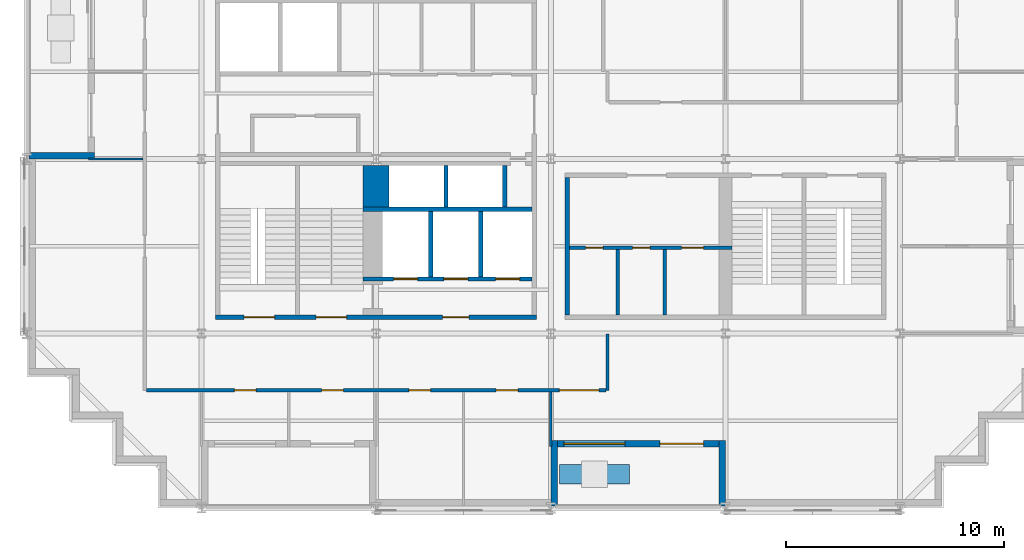
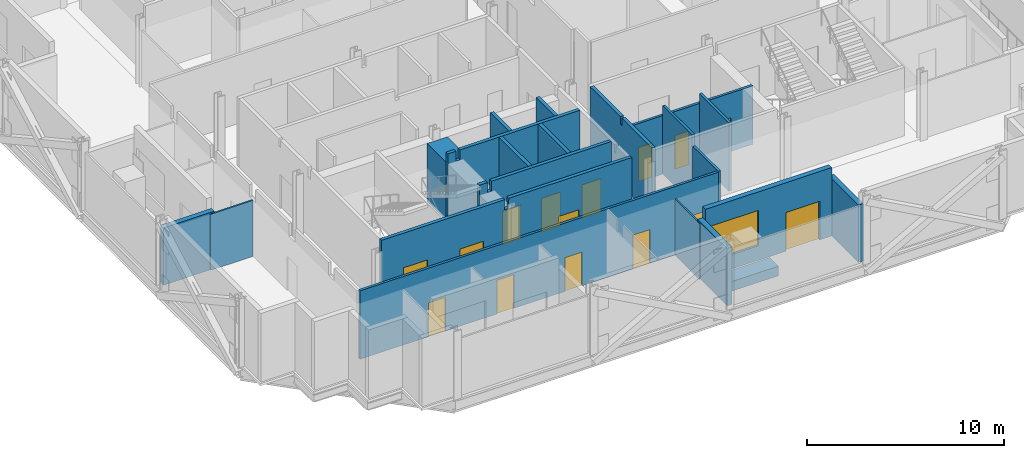
# One storey, part 6 of 15: 21 walls, 15 doors, 1 window, 16 openings.
"""IFC4 building model written with IfcOpenShell, lengths in metres."""

import ifcopenshell
import ifcopenshell.guid

model = None  # the IFC model being written
_history = None  # IfcOwnerHistory: only IFC2X3 demands one
_inside = {}  # id of a spatial element -> (the spatial element, [elements in it])
_under = {}  # id of a project, library or spatial element -> (it, [spatial elements below it])
_declared = {}  # id of a project -> (the project, [libraries it declares])
_typed = {}  # id of a type object -> (the type object, [elements of that type])
_made_of = {}  # id of a material, layer set ... -> (it, [elements and type objects made of it])


def new_model(schema):
    """Start an empty IFC model of exactly this schema.

    Asked for "IFC4X3", IfcOpenShell would pick the latest addendum, in which some entities
    have other attributes; the version numbers below select the first issue.
    IFC2X3 requires an IfcOwnerHistory on every rooted entity: one is made here for all.
    """
    global model, _history
    if schema == "IFC4X3":
        model = ifcopenshell.file(schema_version=(4, 3, 0, 0))
    else:
        model = ifcopenshell.file(schema=schema)
    _inside.clear()
    _under.clear()
    _declared.clear()
    _typed.clear()
    _made_of.clear()
    _history = None
    if model.schema == "IFC2X3":
        org = make("IfcOrganization", Name="unknown")
        user = make(
            "IfcPersonAndOrganization",
            ThePerson=make("IfcPerson", FamilyName="unknown"),
            TheOrganization=org,
        )
        app = make(
            "IfcApplication",
            ApplicationDeveloper=org,
            Version="unknown",
            ApplicationFullName="unknown",
            ApplicationIdentifier="unknown",
        )
        _history = make(
            "IfcOwnerHistory",
            OwningUser=user,
            OwningApplication=app,
            ChangeAction="ADDED",
            CreationDate=0,
        )
    return model


def make(cls, **values):
    """One entity of the class cls with the attributes given. An attribute that is None is left unset."""
    return model.create_entity(
        cls, **{name: value for name, value in values.items() if value is not None}
    )


def rooted(cls, **values):
    """An entity with a GlobalId (a new one), such as an element, a storey or a relation."""
    return make(cls, GlobalId=ifcopenshell.guid.new(), OwnerHistory=_history, **values)


def si_unit(unit_type, name, prefix=None):
    """IfcSIUnit, for example si_unit("LENGTHUNIT", "METRE", prefix="MILLI")."""
    return make("IfcSIUnit", UnitType=unit_type, Prefix=prefix, Name=name)


def assignment(units):
    """IfcUnitAssignment: the units of a project."""
    return None if units is None else make("IfcUnitAssignment", Units=units)


def point(xyz):
    """IfcCartesianPoint."""
    return None if xyz is None else make("IfcCartesianPoint", Coordinates=xyz)


def direction(xyz):
    """IfcDirection."""
    return None if xyz is None else make("IfcDirection", DirectionRatios=xyz)


def frame(location, z_axis=None, x_axis=None):
    """IfcAxis2Placement3D, a coordinate frame: its origin and axes. An axis left out is left unset."""
    return make(
        "IfcAxis2Placement3D",
        Location=point(location),
        Axis=direction(z_axis),
        RefDirection=direction(x_axis),
    )


def frame_2d(location, x_axis=None):
    """IfcAxis2Placement2D, a coordinate frame in the plane: its origin and x axis."""
    return make(
        "IfcAxis2Placement2D", Location=point(location), RefDirection=direction(x_axis)
    )


def origin():
    """The frame at (0, 0, 0) with its axes left unset."""
    return frame((0.0, 0.0, 0.0))


def place(relative_to, where):
    """IfcLocalPlacement: puts the frame where relative to a parent placement (None: the world)."""
    return make(
        "IfcLocalPlacement", PlacementRelTo=relative_to, RelativePlacement=where
    )


def context(
    kind, dimensions, precision=None, world=None, true_north=None, identifier=None
):
    """IfcGeometricRepresentationContext, for example the 3D "Model" context."""
    return make(
        "IfcGeometricRepresentationContext",
        ContextIdentifier=identifier,
        ContextType=kind,
        CoordinateSpaceDimension=dimensions,
        Precision=precision,
        WorldCoordinateSystem=world,
        TrueNorth=true_north,
    )


def subcontext(parent, identifier, kind, view, scale=None):
    """IfcGeometricRepresentationSubContext, for example "Body" below "Model"."""
    return make(
        "IfcGeometricRepresentationSubContext",
        ContextIdentifier=identifier,
        ContextType=kind,
        ParentContext=parent,
        TargetScale=scale,
        TargetView=view,
    )


def project(units=None, contexts=None):
    """IfcProject with its units and contexts."""
    return rooted(
        "IfcProject",
        Name="project",
        RepresentationContexts=contexts,
        UnitsInContext=assignment(units),
    )


def spatial(cls, under=None, at=None, **own):
    """A site, building, storey or space (cls), placed at a placement, below another one or the project."""
    s = rooted(cls, ObjectPlacement=at, **own)
    if under is not None:
        _under.setdefault(under.id(), (under, []))[1].append(s)
    return s


def polyline(points):
    """IfcPolyline through the points."""
    return make("IfcPolyline", Points=[point(p) for p in points])


def profile(cls, at=None, kind="AREA", **sizes):
    """A parametric profile (cls). Its sizes go by their IFC names, for example OverallWidth=200.0."""
    return make(cls, ProfileType=kind, Position=at, **sizes)


def rectangle(**sizes):
    """IfcRectangleProfileDef."""
    return profile("IfcRectangleProfileDef", **sizes)


def outline(outer, holes=None, kind="AREA"):
    """IfcArbitraryClosedProfileDef: a profile drawn as a closed curve; with holes, ...WithVoids."""
    if holes is None:
        return make("IfcArbitraryClosedProfileDef", ProfileType=kind, OuterCurve=outer)
    return make(
        "IfcArbitraryProfileDefWithVoids",
        ProfileType=kind,
        OuterCurve=outer,
        InnerCurves=holes,
    )


def extrude(swept, where, along, depth):
    """IfcExtrudedAreaSolid: the profile swept, set in the frame where, extruded along a direction by depth."""
    return make(
        "IfcExtrudedAreaSolid",
        SweptArea=swept,
        Position=where,
        ExtrudedDirection=direction(along),
        Depth=depth,
    )


def shape(context_of_items, identifier, shape_type, items):
    """IfcShapeRepresentation: the items that make up one representation, for example the "Body"."""
    return make(
        "IfcShapeRepresentation",
        ContextOfItems=context_of_items,
        RepresentationIdentifier=identifier,
        RepresentationType=shape_type,
        Items=items,
    )


def material(Name=None, Category=None):
    """IfcMaterial."""
    return make("IfcMaterial", Name=Name, Category=Category)


def layer(
    of_material, thickness, ventilated=None, Name=None, Category=None, Priority=None
):
    """IfcMaterialLayer: one layer of a wall or slab, of a material (None: an air gap)."""
    return make(
        "IfcMaterialLayer",
        Material=of_material,
        LayerThickness=thickness,
        IsVentilated=ventilated,
        Name=Name,
        Category=Category,
        Priority=Priority,
    )


def layer_set(layers, Name=None):
    """IfcMaterialLayerSet."""
    return make("IfcMaterialLayerSet", MaterialLayers=layers, LayerSetName=Name)


def made_of(thing, what):
    """Note that an element or type object is made of a material, layer set ...; save() writes the relation."""
    if what is not None:
        _made_of.setdefault(what.id(), (what, []))[1].append(thing)
    return thing


def type_object(cls, material=None, **own):
    """A type object (cls), such as IfcWallType, which elements share."""
    return made_of(rooted(cls, **own), material)


def element(
    cls,
    number,
    at=None,
    inside=None,
    cuts=None,
    type_object=None,
    material=None,
    context=None,
    identifier="Body",
    shape_type=None,
    held_by="IfcProductDefinitionShape",
    body=None,
    shapes=None,
    **own,
):
    """One element of the class cls, such as IfcWall. Its Tag is "e" and its number.

    at: its placement. inside: the storey or other place that contains it. cuts: it is an
    opening in that element (IfcRelVoidsElement). A single representation is given by context,
    identifier, shape_type and body (its items); several are given by shapes. held_by: the class
    of the entity that holds the representations. save() writes the other relations.
    """
    e = rooted(cls, Tag="e%d" % number, ObjectPlacement=at, **own)
    if body is not None:
        shapes = [shape(context, identifier, shape_type, body)]
    if shapes is not None:
        e.Representation = make(held_by, Representations=shapes)
    if inside is not None:
        _inside.setdefault(inside.id(), (inside, []))[1].append(e)
    if cuts is not None:
        rooted(
            "IfcRelVoidsElement", RelatingBuildingElement=cuts, RelatedOpeningElement=e
        )
    if type_object is not None:
        _typed.setdefault(type_object.id(), (type_object, []))[1].append(e)
    return made_of(e, material)


def fill(opening, filler):
    """IfcRelFillsElement: the door or window that sits in an opening."""
    return rooted(
        "IfcRelFillsElement",
        RelatingOpeningElement=opening,
        RelatedBuildingElement=filler,
    )


def aggregate(whole, parts):
    """IfcRelAggregates: a whole, such as a stair, and the parts it consists of."""
    return rooted("IfcRelAggregates", RelatingObject=whole, RelatedObjects=parts)


def save(model, path):
    """Write the relations noted so far, then the file.

    IfcRelAggregates (storeys below a building ...), IfcRelContainedInSpatialStructure (elements
    in a storey), IfcRelDefinesByType, IfcRelAssociatesMaterial and IfcRelDeclares: one each for
    every whole, place, type object, material and project.
    """
    for whole, parts in _under.values():
        aggregate(whole, parts)
    for where, things in _inside.values():
        rooted(
            "IfcRelContainedInSpatialStructure",
            RelatedElements=things,
            RelatingStructure=where,
        )
    for kind, things in _typed.values():
        rooted("IfcRelDefinesByType", RelatedObjects=things, RelatingType=kind)
    for what, things in _made_of.values():
        rooted("IfcRelAssociatesMaterial", RelatedObjects=things, RelatingMaterial=what)
    for by, libraries in _declared.values():
        rooted("IfcRelDeclares", RelatingContext=by, RelatedDefinitions=libraries)
    model.write(path)


model = new_model("IFC4")

# Units and contexts
model_context = context("Model", 3, precision=1e-05, world=origin(), true_north=direction((0.0, 1.0)))
body_context = subcontext(model_context, "Body", "Model", "MODEL_VIEW")
ifc_project = project(units=[si_unit("LENGTHUNIT", "METRE"), si_unit("AREAUNIT", "SQUARE_METRE"), si_unit("VOLUMEUNIT", "CUBIC_METRE"), si_unit("PLANEANGLEUNIT", "RADIAN"), si_unit("MASSUNIT", "GRAM", prefix="KILO")], contexts=[model_context])

# Site, building, storey
site_placement = place(None, origin())
site = spatial("IfcSite", under=ifc_project, at=site_placement, CompositionType="ELEMENT")
building_placement = place(site_placement, origin())
building = spatial("IfcBuilding", under=site, at=building_placement, Name="Immortelle Media Tower", CompositionType="ELEMENT")
storey_placement = place(building_placement, frame((0.0, 0.0, 105.199951171875)))
storey = spatial("IfcBuildingStorey", under=building, at=storey_placement, Name="L20", CompositionType="ELEMENT", Elevation=105.199951171875)

# Wall, openings, doors
ifc_material_1 = material(Name="Fire-rated gypsum board", Category="gypsum")
ifc_layer_1 = layer(ifc_material_1, 0.02490234375)
ifc_material_2 = material(Name="Steel ASTM A653 SS Gr 50 stud frame with mineral wool", Category="steel")
ifc_layer_2 = layer(ifc_material_2, 0.10009765625)
ifc_layer_3 = layer(ifc_material_1, 0.02490234375)
ifc_layer_set_1 = layer_set([ifc_layer_1, ifc_layer_2, ifc_layer_3], Name="Steel ASTM A653 SS Gr 50 stud frame with mineral wool")
wall_type_1 = type_object("IfcWallType", Name="Core partition 150", PredefinedType="PARTITIONING", material=ifc_layer_set_1)
wall_1_placement = place(storey_placement, frame((24.85009765625, 11.925048828125, 0.0), z_axis=(0.0, 0.0, 1.0), x_axis=(1.0, 0.0, 0.0)))
wall_1 = element("IfcWall", 1, at=wall_1_placement, inside=storey, type_object=wall_type_1, Name="Core partition SE", PredefinedType="PARTITIONING", context=body_context, shape_type="SweptSolid", body=[
    extrude(rectangle(XDim=7.449951171875, YDim=0.14990234375, at=frame_2d((3.72509765625, 0.0))), origin(), (0.0, 0.0, 1.0), 3.632080078125),
])
opening_1_placement = place(wall_1_placement, frame((1.550048828125, 0.0, 0.0), z_axis=(0.0, 0.0, 1.0), x_axis=(-1.0, 0.0, 0.0)))
opening_1 = element("IfcOpeningElement", 2, at=opening_1_placement, cuts=wall_1, Name="Opening N7-K015", PredefinedType="OPENING", context=body_context, shape_type="SweptSolid", body=[
    extrude(rectangle(XDim=0.800048828125, YDim=2.10009765625, at=frame_2d((0.39990234375, 1.050048828125))), frame((0.0, 0.0849609375, 0.0), z_axis=(0.0, -1.0, 0.0), x_axis=(1.0, 0.0, 0.0)), (0.0, 0.0, 1.0), 0.169921875),
])
opening_2_placement = place(wall_1_placement, frame((3.699951171875, 0.0, 0.0), z_axis=(0.0, 0.0, 1.0), x_axis=(-1.0, 0.0, 0.0)))
opening_2 = element("IfcOpeningElement", 3, at=opening_2_placement, cuts=wall_1, Name="Opening N7-K016", PredefinedType="OPENING", context=body_context, shape_type="SweptSolid", body=[
    extrude(rectangle(XDim=0.800048828125, YDim=2.10009765625, at=frame_2d((0.39990234375, 1.050048828125))), frame((0.0, 0.0849609375, 0.0), z_axis=(0.0, -1.0, 0.0), x_axis=(1.0, 0.0, 0.0)), (0.0, 0.0, 1.0), 0.169921875),
])
opening_3_placement = place(wall_1_placement, frame((6.14990234375, 0.0, 0.0), z_axis=(0.0, 0.0, 1.0), x_axis=(-1.0, 0.0, 0.0)))
opening_3 = element("IfcOpeningElement", 4, at=opening_3_placement, cuts=wall_1, Name="Opening N7-K018", PredefinedType="OPENING", context=body_context, shape_type="SweptSolid", body=[
    extrude(rectangle(XDim=1.0, YDim=2.10009765625, at=frame_2d((0.5, 1.050048828125))), frame((0.0, 0.0849609375, 0.0), z_axis=(0.0, -1.0, 0.0), x_axis=(1.0, 0.0, 0.0)), (0.0, 0.0, 1.0), 0.169921875),
])
ifc_material_3 = material(Name="Timber", Category="wood")
door_type_1 = type_object("IfcDoorType", Name="Accessible toilet door 1000 x 2100", OperationType="NOTDEFINED", PredefinedType="NOTDEFINED", material=ifc_material_3)
door_1_placement = place(opening_3_placement, origin())
door_1 = element("IfcDoor", 5, at=door_1_placement, inside=storey, type_object=door_type_1, Name="Accessible toilet N7-K018", OperationType="SINGLE_SWING_RIGHT", OverallHeight=2.10009765625, OverallWidth=1.0, PredefinedType="NOTDEFINED", context=body_context, shape_type="SweptSolid", body=[
    extrude(rectangle(XDim=1.0, YDim=2.10009765625, at=frame_2d((0.5, 1.050048828125))), frame((0.0, 0.02490234375, 0.0), z_axis=(0.0, -1.0, 0.0), x_axis=(1.0, 0.0, 0.0)), (0.0, 0.0, 1.0), 0.050048828125),
])
fill(opening_3, door_1)
door_type_2 = type_object("IfcDoorType", Name="Toilet door 800 x 2100", OperationType="NOTDEFINED", PredefinedType="NOTDEFINED", material=ifc_material_3)
door_2_placement = place(opening_1_placement, origin())
door_2 = element("IfcDoor", 6, at=door_2_placement, inside=storey, type_object=door_type_2, Name="Toilet N7-K015", OperationType="SINGLE_SWING_LEFT", OverallHeight=2.10009765625, OverallWidth=0.800048828125, PredefinedType="NOTDEFINED", context=body_context, shape_type="SweptSolid", body=[
    extrude(rectangle(XDim=0.800048828125, YDim=2.10009765625, at=frame_2d((0.39990234375, 1.050048828125))), frame((0.0, 0.02490234375, 0.0), z_axis=(0.0, -1.0, 0.0), x_axis=(1.0, 0.0, 0.0)), (0.0, 0.0, 1.0), 0.050048828125),
])
fill(opening_1, door_2)
door_3_placement = place(opening_2_placement, origin())
door_3 = element("IfcDoor", 7, at=door_3_placement, inside=storey, type_object=door_type_2, Name="Toilet N7-K016", OperationType="SINGLE_SWING_RIGHT", OverallHeight=2.10009765625, OverallWidth=0.800048828125, PredefinedType="NOTDEFINED", context=body_context, shape_type="SweptSolid", body=[
    extrude(rectangle(XDim=0.800048828125, YDim=2.10009765625, at=frame_2d((0.39990234375, 1.050048828125))), frame((0.0, 0.02490234375, 0.0), z_axis=(0.0, -1.0, 0.0), x_axis=(1.0, 0.0, 0.0)), (0.0, 0.0, 1.0), 0.050048828125),
])
fill(opening_2, door_3)

# Walls
for number, where, z_axis, x_axis, name in (
    (8, (27.074951171875, 8.85009765625, 0.0), (0.0, 0.0, 1.0), (0.0, 1.0, 0.0), "Core partition SE"),
    (9, (29.22509765625, 8.85009765625, 0.0), (0.0, 0.0, 1.0), (0.0, 1.0, 0.0), "Core partition SE"),
):
    element("IfcWall", number, at=place(storey_placement, frame(where, z_axis=z_axis, x_axis=x_axis)), inside=storey, type_object=wall_type_1, Name=name, PredefinedType="PARTITIONING", context=body_context, shape_type="SweptSolid", body=[
        extrude(rectangle(XDim=3.0, YDim=0.14990234375, at=frame_2d((1.5, 0.0))), origin(), (0.0, 0.0, 1.0), 4.25),
    ])

# Wall, openings, doors
ifc_layer_4 = layer(ifc_material_1, 0.03759765625)
ifc_layer_5 = layer(ifc_material_2, 0.125)
ifc_layer_6 = layer(ifc_material_1, 0.03759765625)
ifc_layer_set_2 = layer_set([ifc_layer_4, ifc_layer_5, ifc_layer_6], Name="Steel ASTM A653 SS Gr 50 stud frame with mineral wool")
wall_type_2 = type_object("IfcWallType", Name="Core shaft wall 200", PredefinedType="PARTITIONING", material=ifc_layer_set_2)
wall_2_placement = place(storey_placement, frame((15.39990234375, 10.5, 0.0), z_axis=(0.0, 0.0, 1.0), x_axis=(1.0, 0.0, 0.0)))
wall_2 = element("IfcWall", 10, at=wall_2_placement, inside=storey, type_object=wall_type_2, Name="Core shaft wall SW", PredefinedType="PARTITIONING", context=body_context, shape_type="SweptSolid", body=[
    extrude(outline(polyline([(0.0, 0.0), (7.75, 0.0), (7.75, 4.25), (0.719482421875, 4.25), (0.718505859375, 3.632080078125), (0.4814453125, 3.632080078125), (0.48046875, 4.25), (0.0, 4.25), (0.0, 0.0)])), frame((0.0, 0.10009765625, 0.0), z_axis=(0.0, -1.0, 0.0), x_axis=(1.0, 0.0, 0.0)), (0.0, 0.0, 1.0), 0.199951171875),
])
opening_4_placement = place(wall_2_placement, frame((1.39990234375, 0.0, 0.0)))
opening_4 = element("IfcOpeningElement", 11, at=opening_4_placement, cuts=wall_2, Name="Opening LD", PredefinedType="OPENING", context=body_context, shape_type="SweptSolid", body=[
    extrude(rectangle(XDim=1.10009765625, YDim=2.10009765625, at=frame_2d((0.550048828125, 1.050048828125))), frame((0.0, 0.10986328125, 0.0), z_axis=(0.0, -1.0, 0.0), x_axis=(1.0, 0.0, 0.0)), (0.0, 0.0, 1.0), 0.219970703125),
])
opening_5_placement = place(wall_2_placement, frame((3.699951171875, 0.0, 0.0)))
opening_5 = element("IfcOpeningElement", 12, at=opening_5_placement, cuts=wall_2, Name="Opening LD", PredefinedType="OPENING", context=body_context, shape_type="SweptSolid", body=[
    extrude(rectangle(XDim=1.10009765625, YDim=2.10009765625, at=frame_2d((0.550048828125, 1.050048828125))), frame((0.0, 0.10986328125, 0.0), z_axis=(0.0, -1.0, 0.0), x_axis=(1.0, 0.0, 0.0)), (0.0, 0.0, 1.0), 0.219970703125),
])
opening_6_placement = place(wall_2_placement, frame((6.074951171875, 0.0, 0.0)))
opening_6 = element("IfcOpeningElement", 13, at=opening_6_placement, cuts=wall_2, Name="Opening LD", PredefinedType="OPENING", context=body_context, shape_type="SweptSolid", body=[
    extrude(rectangle(XDim=1.10009765625, YDim=2.10009765625, at=frame_2d((0.550048828125, 1.050048828125))), frame((0.0, 0.10986328125, 0.0), z_axis=(0.0, -1.0, 0.0), x_axis=(1.0, 0.0, 0.0)), (0.0, 0.0, 1.0), 0.219970703125),
])
ifc_material_4 = material(Name="Stainless steel AISI 304", Category="steel")
door_type_3 = type_object("IfcDoorType", Name="Landing door 1100 x 2100", OperationType="SLIDING_TO_LEFT", PredefinedType="NOTDEFINED", material=ifc_material_4)
door_4_placement = place(opening_4_placement, origin())
door_4 = element("IfcDoor", 14, at=door_4_placement, inside=storey, type_object=door_type_3, Name="Landing door FF1 L20", OperationType="SLIDING_TO_LEFT", OverallHeight=2.10009765625, OverallWidth=1.10009765625, PredefinedType="NOTDEFINED", context=body_context, shape_type="SweptSolid", body=[
    extrude(rectangle(XDim=1.10009765625, YDim=2.10009765625, at=frame_2d((0.550048828125, 1.050048828125))), frame((0.0, 0.02490234375, 0.0), z_axis=(0.0, -1.0, 0.0), x_axis=(1.0, 0.0, 0.0)), (0.0, 0.0, 1.0), 0.050048828125),
])
fill(opening_4, door_4)
door_5_placement = place(opening_5_placement, origin())
door_5 = element("IfcDoor", 15, at=door_5_placement, inside=storey, type_object=door_type_3, Name="Landing door FF2 L20", OperationType="SLIDING_TO_LEFT", OverallHeight=2.10009765625, OverallWidth=1.10009765625, PredefinedType="NOTDEFINED", context=body_context, shape_type="SweptSolid", body=[
    extrude(rectangle(XDim=1.10009765625, YDim=2.10009765625, at=frame_2d((0.550048828125, 1.050048828125))), frame((0.0, 0.02490234375, 0.0), z_axis=(0.0, -1.0, 0.0), x_axis=(1.0, 0.0, 0.0)), (0.0, 0.0, 1.0), 0.050048828125),
])
fill(opening_5, door_5)
door_6_placement = place(opening_6_placement, origin())
door_6 = element("IfcDoor", 16, at=door_6_placement, inside=storey, type_object=door_type_3, Name="Landing door FF3 L20", OperationType="SLIDING_TO_LEFT", OverallHeight=2.10009765625, OverallWidth=1.10009765625, PredefinedType="NOTDEFINED", context=body_context, shape_type="SweptSolid", body=[
    extrude(rectangle(XDim=1.10009765625, YDim=2.10009765625, at=frame_2d((0.550048828125, 1.050048828125))), frame((0.0, 0.02490234375, 0.0), z_axis=(0.0, -1.0, 0.0), x_axis=(1.0, 0.0, 0.0)), (0.0, 0.0, 1.0), 0.050048828125),
])
fill(opening_6, door_6)

# Walls
wall_3_placement = place(storey_placement, frame((15.39990234375, 13.699951171875, 0.0), z_axis=(0.0, 0.0, 1.0), x_axis=(1.0, 0.0, 0.0)))
element("IfcWall", 17, at=wall_3_placement, inside=storey, type_object=wall_type_2, Name="Core shaft wall SW", PredefinedType="PARTITIONING", context=body_context, shape_type="SweptSolid", body=[
    extrude(outline(polyline([(0.0, 0.0), (7.75, 0.0), (7.75, 4.25), (0.719482421875, 4.25), (0.718505859375, 3.632080078125), (0.4814453125, 3.632080078125), (0.48046875, 4.25), (0.0, 4.25), (0.0, 0.0)])), frame((0.0, 0.10009765625, 0.0), z_axis=(0.0, -1.0, 0.0), x_axis=(1.0, 0.0, 0.0)), (0.0, 0.0, 1.0), 0.199951171875),
])
wall_4_placement = place(storey_placement, frame((18.5, 10.60009765625, 0.0), z_axis=(0.0, 0.0, 1.0), x_axis=(0.0, 1.0, 0.0)))
element("IfcWall", 18, at=wall_4_placement, inside=storey, type_object=wall_type_2, Name="Core shaft wall SW", PredefinedType="PARTITIONING", context=body_context, shape_type="SweptSolid", body=[
    extrude(rectangle(XDim=3.0, YDim=0.199951171875, at=frame_2d((1.5, 0.0))), origin(), (0.0, 0.0, 1.0), 4.25),
])
wall_5_placement = place(storey_placement, frame((19.199951171875, 13.800048828125, 0.0), z_axis=(0.0, 0.0, 1.0), x_axis=(0.0, 1.0, 0.0)))
element("IfcWall", 19, at=wall_5_placement, inside=storey, type_object=wall_type_2, Name="Core shaft wall SW", PredefinedType="PARTITIONING", context=body_context, shape_type="SweptSolid", body=[
    extrude(rectangle(XDim=1.89990234375, YDim=0.199951171875, at=frame_2d((0.949951171875, 0.0))), origin(), (0.0, 0.0, 1.0), 4.25),
])
wall_6_placement = place(storey_placement, frame((20.800048828125, 10.60009765625, 0.0), z_axis=(0.0, 0.0, 1.0), x_axis=(0.0, 1.0, 0.0)))
element("IfcWall", 20, at=wall_6_placement, inside=storey, type_object=wall_type_2, Name="Core shaft wall SW", PredefinedType="PARTITIONING", context=body_context, shape_type="SweptSolid", body=[
    extrude(rectangle(XDim=3.0, YDim=0.199951171875, at=frame_2d((1.5, 0.0))), origin(), (0.0, 0.0, 1.0), 4.25),
])
wall_7_placement = place(storey_placement, frame((21.89990234375, 13.800048828125, 0.0), z_axis=(0.0, 0.0, 1.0), x_axis=(0.0, 1.0, 0.0)))
element("IfcWall", 21, at=wall_7_placement, inside=storey, type_object=wall_type_2, Name="Core shaft wall SW", PredefinedType="PARTITIONING", context=body_context, shape_type="SweptSolid", body=[
    extrude(rectangle(XDim=1.89990234375, YDim=0.199951171875, at=frame_2d((0.949951171875, 0.0))), origin(), (0.0, 0.0, 1.0), 4.25),
])
wall_8_placement = place(storey_placement, frame((24.75, 8.85009765625, 0.0), z_axis=(0.0, 0.0, 1.0), x_axis=(0.0, 1.0, 0.0)))
element("IfcWall", 22, at=wall_8_placement, inside=storey, type_object=wall_type_2, Name="Core shaft wall SE", PredefinedType="PARTITIONING", context=body_context, shape_type="SweptSolid", body=[
    extrude(outline(polyline([(0.0, 0.0), (6.2998046875, 0.0), (6.300048828125, 4.25), (3.2314453125, 4.25), (3.23046875, 3.7890625), (3.069580078125, 3.7890625), (3.068603515625, 4.25), (0.0, 4.25), (0.0, 0.0)])), frame((0.0, 0.10009765625, 0.0), z_axis=(0.0, -1.0, 0.0), x_axis=(1.0, 0.0, 0.0)), (0.0, 0.0, 1.0), 0.199951171875),
])

# Wall, openings, doors
ifc_layer_7 = layer(ifc_material_1, 0.012451171875)
ifc_layer_8 = layer(ifc_material_2, 0.125)
ifc_layer_9 = layer(ifc_material_1, 0.012451171875)
ifc_layer_set_3 = layer_set([ifc_layer_7, ifc_layer_8, ifc_layer_9], Name="Steel ASTM A653 SS Gr 50 stud frame with mineral wool")
wall_type_3 = type_object("IfcWallType", Name="Corridor wall 150", PredefinedType="PARTITIONING", material=ifc_layer_set_3)
wall_9_placement = place(storey_placement, frame((5.47509765625, 5.39990234375, 0.0), z_axis=(0.0, 0.0, 1.0), x_axis=(1.0, 0.0, 0.0)))
wall_9 = element("IfcWall", 23, at=wall_9_placement, inside=storey, type_object=wall_type_3, Name="Partition L20-006", PredefinedType="PARTITIONING", context=body_context, shape_type="SweptSolid", body=[
    extrude(rectangle(XDim=21.0498046875, YDim=0.14990234375, at=frame_2d((10.52490234375, 0.0))), origin(), (0.0, 0.0, 1.0), 4.25),
])
opening_7_placement = place(wall_9_placement, frame((13.02490234375, 0.0, 0.0), z_axis=(0.0, 0.0, 1.0), x_axis=(-1.0, 0.0, 0.0)))
opening_7 = element("IfcOpeningElement", 24, at=opening_7_placement, cuts=wall_9, Name="Opening N7-F001", PredefinedType="OPENING", context=body_context, shape_type="SweptSolid", body=[
    extrude(rectangle(XDim=1.0, YDim=2.10009765625, at=frame_2d((0.5, 1.050048828125))), frame((0.0, 0.0849609375, 0.0), z_axis=(0.0, -1.0, 0.0), x_axis=(1.0, 0.0, 0.0)), (0.0, 0.0, 1.0), 0.169921875),
])
opening_8_placement = place(wall_9_placement, frame((17.02490234375, 0.0, 0.0), z_axis=(0.0, 0.0, 1.0), x_axis=(-1.0, 0.0, 0.0)))
opening_8 = element("IfcOpeningElement", 25, at=opening_8_placement, cuts=wall_9, Name="Opening N7-F002", PredefinedType="OPENING", context=body_context, shape_type="SweptSolid", body=[
    extrude(rectangle(XDim=1.0, YDim=2.10009765625, at=frame_2d((0.5, 1.050048828125))), frame((0.0, 0.0849609375, 0.0), z_axis=(0.0, -1.0, 0.0), x_axis=(1.0, 0.0, 0.0)), (0.0, 0.0, 1.0), 0.169921875),
])
opening_9_placement = place(wall_9_placement, frame((5.02490234375, 0.0, 0.0), z_axis=(0.0, 0.0, 1.0), x_axis=(-1.0, 0.0, 0.0)))
opening_9 = element("IfcOpeningElement", 26, at=opening_9_placement, cuts=wall_9, Name="Opening N7-F003", PredefinedType="OPENING", context=body_context, shape_type="SweptSolid", body=[
    extrude(rectangle(XDim=1.0, YDim=2.10009765625, at=frame_2d((0.5, 1.050048828125))), frame((0.0, 0.0849609375, 0.0), z_axis=(0.0, -1.0, 0.0), x_axis=(1.0, 0.0, 0.0)), (0.0, 0.0, 1.0), 0.169921875),
])
opening_10_placement = place(wall_9_placement, frame((9.02490234375, 0.0, 0.0), z_axis=(0.0, 0.0, 1.0), x_axis=(-1.0, 0.0, 0.0)))
opening_10 = element("IfcOpeningElement", 27, at=opening_10_placement, cuts=wall_9, Name="Opening N7-F004", PredefinedType="OPENING", context=body_context, shape_type="SweptSolid", body=[
    extrude(rectangle(XDim=1.0, YDim=2.10009765625, at=frame_2d((0.5, 1.050048828125))), frame((0.0, 0.0849609375, 0.0), z_axis=(0.0, -1.0, 0.0), x_axis=(1.0, 0.0, 0.0)), (0.0, 0.0, 1.0), 0.169921875),
])
opening_11_placement = place(wall_9_placement, frame((18.925048828125, 0.0, 0.0)))
opening_11 = element("IfcOpeningElement", 28, at=opening_11_placement, cuts=wall_9, Name="Opening N7-F005", PredefinedType="OPENING", context=body_context, shape_type="SweptSolid", body=[
    extrude(rectangle(XDim=1.800048828125, YDim=2.10009765625, at=frame_2d((0.89990234375, 1.050048828125))), frame((0.0, 0.0849609375, 0.0), z_axis=(0.0, -1.0, 0.0), x_axis=(1.0, 0.0, 0.0)), (0.0, 0.0, 1.0), 0.169921875),
])
ifc_material_5 = material(Name="Timber veneered door leaf, galvanised steel frame ASTM A653", Category="steel")
door_type_4 = type_object("IfcDoorType", Name="Room door 1000 x 2100", OperationType="NOTDEFINED", PredefinedType="DOOR", material=ifc_material_5)
door_7_placement = place(opening_7_placement, origin())
door_7 = element("IfcDoor", 29, at=door_7_placement, inside=storey, type_object=door_type_4, Name="Door N7-F001", OperationType="SINGLE_SWING_LEFT", OverallHeight=2.10009765625, OverallWidth=1.0, PredefinedType="DOOR", context=body_context, shape_type="SweptSolid", body=[
    extrude(rectangle(XDim=1.0, YDim=2.10009765625, at=frame_2d((0.5, 1.050048828125))), frame((0.0, 0.02490234375, 0.0), z_axis=(0.0, -1.0, 0.0), x_axis=(1.0, 0.0, 0.0)), (0.0, 0.0, 1.0), 0.050048828125),
])
fill(opening_7, door_7)
door_8_placement = place(opening_8_placement, origin())
door_8 = element("IfcDoor", 30, at=door_8_placement, inside=storey, type_object=door_type_4, Name="Door N7-F002", OperationType="SINGLE_SWING_RIGHT", OverallHeight=2.10009765625, OverallWidth=1.0, PredefinedType="DOOR", context=body_context, shape_type="SweptSolid", body=[
    extrude(rectangle(XDim=1.0, YDim=2.10009765625, at=frame_2d((0.5, 1.050048828125))), frame((0.0, 0.02490234375, 0.0), z_axis=(0.0, -1.0, 0.0), x_axis=(1.0, 0.0, 0.0)), (0.0, 0.0, 1.0), 0.050048828125),
])
fill(opening_8, door_8)
door_9_placement = place(opening_9_placement, origin())
door_9 = element("IfcDoor", 31, at=door_9_placement, inside=storey, type_object=door_type_4, Name="Door N7-F003", OperationType="SINGLE_SWING_RIGHT", OverallHeight=2.10009765625, OverallWidth=1.0, PredefinedType="DOOR", context=body_context, shape_type="SweptSolid", body=[
    extrude(rectangle(XDim=1.0, YDim=2.10009765625, at=frame_2d((0.5, 1.050048828125))), frame((0.0, 0.02490234375, 0.0), z_axis=(0.0, -1.0, 0.0), x_axis=(1.0, 0.0, 0.0)), (0.0, 0.0, 1.0), 0.050048828125),
])
fill(opening_9, door_9)
door_10_placement = place(opening_10_placement, origin())
door_10 = element("IfcDoor", 32, at=door_10_placement, inside=storey, type_object=door_type_4, Name="Door N7-F004", OperationType="SINGLE_SWING_RIGHT", OverallHeight=2.10009765625, OverallWidth=1.0, PredefinedType="DOOR", context=body_context, shape_type="SweptSolid", body=[
    extrude(rectangle(XDim=1.0, YDim=2.10009765625, at=frame_2d((0.5, 1.050048828125))), frame((0.0, 0.02490234375, 0.0), z_axis=(0.0, -1.0, 0.0), x_axis=(1.0, 0.0, 0.0)), (0.0, 0.0, 1.0), 0.050048828125),
])
fill(opening_10, door_10)
door_type_5 = type_object("IfcDoorType", Name="Room door 1800 x 2100", OperationType="DOUBLE_DOOR_SINGLE_SWING", PredefinedType="DOOR", material=ifc_material_5)
door_11_placement = place(opening_11_placement, origin())
door_11 = element("IfcDoor", 33, at=door_11_placement, inside=storey, type_object=door_type_5, Name="Door N7-F005", OperationType="DOUBLE_DOOR_SINGLE_SWING", OverallHeight=2.10009765625, OverallWidth=1.800048828125, PredefinedType="DOOR", context=body_context, shape_type="SweptSolid", body=[
    extrude(rectangle(XDim=1.800048828125, YDim=2.10009765625, at=frame_2d((0.89990234375, 1.050048828125))), frame((0.0, 0.02490234375, 0.0), z_axis=(0.0, -1.0, 0.0), x_axis=(1.0, 0.0, 0.0)), (0.0, 0.0, 1.0), 0.050048828125),
])
fill(opening_11, door_11)

# Walls
wall_10_placement = place(storey_placement, frame((26.60009765625, 5.39990234375, 0.0), z_axis=(0.0, 0.0, 1.0), x_axis=(0.0, 1.0, 0.0)))
element("IfcWall", 34, at=wall_10_placement, inside=storey, type_object=wall_type_3, Name="Partition L20-008", PredefinedType="PARTITIONING", context=body_context, shape_type="SweptSolid", body=[
    extrude(rectangle(XDim=2.570068359375, YDim=0.14990234375, at=frame_2d((1.28515625, 0.0))), origin(), (0.0, 0.0, 1.0), 4.25),
])
ifc_material_6 = material(Name="Pale aluminium cladding panel", Category="aluminium")
ifc_layer_10 = layer(ifc_material_6, 0.030029296875)
ifc_layer_11 = layer(ifc_material_2, 0.257568359375)
ifc_material_7 = material(Name="Moisture-resistant gypsum board", Category="gypsum")
ifc_layer_12 = layer(ifc_material_7, 0.012451171875)
ifc_layer_set_4 = layer_set([ifc_layer_10, ifc_layer_11, ifc_layer_12], Name="Steel ASTM A653 SS Gr 50 stud frame with mineral wool")
wall_type_4 = type_object("IfcWallType", Name="Facade wall 300", PredefinedType="SOLIDWALL", material=ifc_layer_set_4)
wall_11_placement = place(storey_placement, frame((0.10009765625, 16.14990234375, 0.0), z_axis=(0.0, 0.0, 1.0), x_axis=(1.0, 0.0, 0.0)))
element("IfcWall", 35, at=wall_11_placement, inside=storey, type_object=wall_type_4, Name="Loggia cheek wall L20 W", PredefinedType="SOLIDWALL", context=body_context, shape_type="SweptSolid", body=[
    extrude(rectangle(XDim=3.0, YDim=0.300048828125, at=frame_2d((1.5, 0.0))), origin(), (0.0, 0.0, 1.0), 3.55615234375),
])

# Wall, openings, door, window
wall_12_placement = place(storey_placement, frame((24.300048828125, 2.949951171875, 0.0), z_axis=(0.0, 0.0, 1.0), x_axis=(1.0, 0.0, 0.0)))
wall_12 = element("IfcWall", 36, at=wall_12_placement, inside=storey, type_object=wall_type_4, Name="Loggia wall L20 S7", PredefinedType="SOLIDWALL", context=body_context, shape_type="SweptSolid", body=[
    extrude(rectangle(XDim=7.39990234375, YDim=0.300048828125, at=frame_2d((3.699951171875, 0.0))), origin(), (0.0, 0.0, 1.0), 4.25),
])
opening_12_placement = place(wall_12_placement, frame((0.300048828125, 0.0, 0.89990234375)))
opening_12 = element("IfcOpeningElement", 37, at=opening_12_placement, cuts=wall_12, Name="Opening W1", PredefinedType="OPENING", context=body_context, shape_type="SweptSolid", body=[
    extrude(rectangle(XDim=2.800048828125, YDim=2.199951171875, at=frame_2d((1.39990234375, 1.10009765625))), frame((0.0, 0.159912109375, 0.0), z_axis=(0.0, -1.0, 0.0), x_axis=(1.0, 0.0, 0.0)), (0.0, 0.0, 1.0), 0.320068359375),
])
opening_13_placement = place(wall_12_placement, frame((4.699951171875, 0.0, 0.0)))
opening_13 = element("IfcOpeningElement", 38, at=opening_13_placement, cuts=wall_12, Name="Opening N7-E004", PredefinedType="OPENING", context=body_context, shape_type="SweptSolid", body=[
    extrude(rectangle(XDim=2.0, YDim=2.39990234375, at=frame_2d((1.0, 1.199951171875))), frame((0.0, 0.159912109375, 0.0), z_axis=(0.0, -1.0, 0.0), x_axis=(1.0, 0.0, 0.0)), (0.0, 0.0, 1.0), 0.320068359375),
])
ifc_material_8 = material(Name="Aluminium frame, glazed leaves", Category="aluminium")
door_type_6 = type_object("IfcDoorType", Name="Loggia door 2000 x 2400", OperationType="DOUBLE_DOOR_SINGLE_SWING", PredefinedType="DOOR", material=ifc_material_8)
door_12_placement = place(opening_13_placement, origin())
door_12 = element("IfcDoor", 39, at=door_12_placement, inside=storey, type_object=door_type_6, Name="Door N7-E004", OperationType="DOUBLE_DOOR_SINGLE_SWING", OverallHeight=2.39990234375, OverallWidth=2.0, PredefinedType="DOOR", context=body_context, shape_type="SweptSolid", body=[
    extrude(rectangle(XDim=2.0, YDim=2.39990234375, at=frame_2d((1.0, 1.199951171875))), frame((0.0, 0.02490234375, 0.0), z_axis=(0.0, -1.0, 0.0), x_axis=(1.0, 0.0, 0.0)), (0.0, 0.0, 1.0), 0.050048828125),
])
fill(opening_13, door_12)
ifc_material_9 = material(Name="Aluminium frame", Category="aluminium")
window_type = type_object("IfcWindowType", Name="Window 2800 x 2200", PartitioningType="SINGLE_PANEL", PredefinedType="WINDOW", material=ifc_material_9)
window_placement = place(opening_12_placement, origin())
window = element("IfcWindow", 40, at=window_placement, inside=storey, type_object=window_type, Name="Window L20 L20-R7-B2", OverallHeight=2.199951171875, OverallWidth=2.800048828125, PartitioningType="SINGLE_PANEL", PredefinedType="WINDOW", context=body_context, shape_type="SweptSolid", body=[
    extrude(rectangle(XDim=2.800048828125, YDim=2.199951171875, at=frame_2d((1.39990234375, 1.10009765625))), frame((0.0, 0.030029296875, 0.0), z_axis=(0.0, -1.0, 0.0), x_axis=(1.0, 0.0, 0.0)), (0.0, 0.0, 1.0), 0.06005859375),
])
fill(opening_12, window)

# Walls
for number, where, z_axis, x_axis, name in (
    (41, (24.14990234375, 0.10009765625, 0.0), (0.0, 0.0, 1.0), (0.0, 1.0, 0.0), "Loggia cheek wall L20 S"),
    (42, (31.85009765625, 0.10009765625, 0.0), (0.0, 0.0, 1.0), (0.0, 1.0, 0.0), "Loggia cheek wall L20 S"),
):
    element("IfcWall", number, at=place(storey_placement, frame(where, z_axis=z_axis, x_axis=x_axis)), inside=storey, type_object=wall_type_4, Name=name, PredefinedType="SOLIDWALL", context=body_context, shape_type="SweptSolid", body=[
        extrude(rectangle(XDim=3.0, YDim=0.300048828125, at=frame_2d((1.5, 0.0))), origin(), (0.0, 0.0, 1.0), 3.55615234375),
    ])
ifc_material_10 = material(Name="Gypsum board", Category="gypsum")
ifc_layer_13 = layer(ifc_material_10, 0.012451171875)
ifc_layer_14 = layer(ifc_material_2, 0.074951171875)
ifc_layer_15 = layer(ifc_material_10, 0.012451171875)
ifc_layer_set_5 = layer_set([ifc_layer_13, ifc_layer_14, ifc_layer_15], Name="Steel ASTM A653 SS Gr 50 stud frame with mineral wool")
wall_type_5 = type_object("IfcWallType", Name="Partition 100", PredefinedType="PARTITIONING", material=ifc_layer_set_5)
for number, where, z_axis, x_axis, name in (
    (43, (24.0, 2.830078125, 0.0), (0.0, 0.0, 1.0), (0.0, 1.0, 0.0), "Partition L20-005"),
    (44, (2.830078125, 16.0, 0.0), (0.0, 0.0, 1.0), (1.0, 0.0, 0.0), "Partition L20-011"),
):
    element("IfcWall", number, at=place(storey_placement, frame(where, z_axis=z_axis, x_axis=x_axis)), inside=storey, type_object=wall_type_5, Name=name, PredefinedType="PARTITIONING", context=body_context, shape_type="SweptSolid", body=[
        extrude(rectangle(XDim=2.494873046875, YDim=0.10009765625, at=frame_2d((1.24755859375, 0.0))), origin(), (0.0, 0.0, 1.0), 3.469970703125),
    ])
ifc_layer_16 = layer(ifc_material_6, 0.0029296875)
ifc_material_11 = material(Name="Steel ASTM A572 Gr 50 planter shell", Category="steel")
ifc_layer_17 = layer(ifc_material_11, 0.011962890625)
ifc_material_12 = material(Name="Planting substrate", Category="soil")
ifc_layer_18 = layer(ifc_material_12, 0.873046875)
ifc_layer_19 = layer(ifc_material_11, 0.011962890625)
ifc_layer_set_6 = layer_set([ifc_layer_16, ifc_layer_17, ifc_layer_18, ifc_layer_19], Name="Steel ASTM A572 Gr 50 planter shell")
wall_type_6 = type_object("IfcWallType", Name="Planter wall 900", PredefinedType="SOLIDWALL", material=ifc_layer_set_6)
wall_13_placement = place(storey_placement, frame((24.39990234375, 1.550048828125, 0.0), z_axis=(0.0, 0.0, 1.0), x_axis=(1.0, 0.0, 0.0)))
element("IfcWall", 45, at=wall_13_placement, inside=storey, type_object=wall_type_6, Name="Planter L20 S2", PredefinedType="SOLIDWALL", context=body_context, shape_type="SweptSolid", body=[
    extrude(rectangle(XDim=3.2001953125, YDim=0.89990234375, at=frame_2d((1.60009765625, 0.0))), origin(), (0.0, 0.0, 1.0), 0.60009765625),
])
ifc_material_13 = material(Name="Concrete C60", Category="concrete")
ifc_layer_20 = layer(ifc_material_13, 1.199951171875)
ifc_layer_set_7 = layer_set([ifc_layer_20], Name="Concrete C60")
wall_type_7 = type_object("IfcWallType", Name="Stair shaft wall 1200", PredefinedType="PARTITIONING", material=ifc_layer_set_7)
wall_14_placement = place(storey_placement, frame((16.0, 13.800048828125, 0.0), z_axis=(0.0, 0.0, 1.0), x_axis=(0.0, 1.0, 0.0)))
element("IfcWall", 46, at=wall_14_placement, inside=storey, type_object=wall_type_7, Name="Stair shaft wall SW", PredefinedType="PARTITIONING", context=body_context, shape_type="SweptSolid", body=[
    extrude(rectangle(XDim=1.89990234375, YDim=1.199951171875, at=frame_2d((0.949951171875, 0.0))), origin(), (0.0, 0.0, 1.0), 3.632080078125),
])

# Wall, openings, doors
ifc_layer_21 = layer(ifc_material_13, 0.199951171875)
ifc_layer_set_8 = layer_set([ifc_layer_21], Name="Concrete C60")
wall_type_8 = type_object("IfcWallType", Name="Stair shaft wall 200", PredefinedType="PARTITIONING", material=ifc_layer_set_8)
wall_15_placement = place(storey_placement, frame((8.64990234375, 8.75, 0.0), z_axis=(0.0, 0.0, 1.0), x_axis=(1.0, 0.0, 0.0)))
wall_15 = element("IfcWall", 47, at=wall_15_placement, inside=storey, type_object=wall_type_8, Name="Stair shaft wall SW", PredefinedType="PARTITIONING", context=body_context, shape_type="SweptSolid", body=[
    extrude(outline(polyline([(0.0, 0.0), (14.7001953125, 0.0), (14.699951171875, 4.25), (7.469482421875, 4.25), (7.468505859375, 3.632080078125), (7.2314453125, 3.632080078125), (7.23046875, 4.25), (0.0, 4.25), (0.0, 0.0)])), frame((0.0, 0.10009765625, 0.0), z_axis=(0.0, -1.0, 0.0), x_axis=(1.0, 0.0, 0.0)), (0.0, 0.0, 1.0), 0.199951171875),
])
opening_14_placement = place(wall_15_placement, frame((1.300048828125, 0.0, 0.0)))
opening_14 = element("IfcOpeningElement", 48, at=opening_14_placement, cuts=wall_15, Name="Opening N7-K002", PredefinedType="OPENING", context=body_context, shape_type="SweptSolid", body=[
    extrude(rectangle(XDim=1.39990234375, YDim=2.10009765625, at=frame_2d((0.699951171875, 1.050048828125))), frame((0.0, 0.10986328125, 0.0), z_axis=(0.0, -1.0, 0.0), x_axis=(1.0, 0.0, 0.0)), (0.0, 0.0, 1.0), 0.219970703125),
])
opening_15_placement = place(wall_15_placement, frame((4.60009765625, 0.0, 0.0)))
opening_15 = element("IfcOpeningElement", 49, at=opening_15_placement, cuts=wall_15, Name="Opening N7-K004", PredefinedType="OPENING", context=body_context, shape_type="SweptSolid", body=[
    extrude(rectangle(XDim=1.39990234375, YDim=2.10009765625, at=frame_2d((0.699951171875, 1.050048828125))), frame((0.0, 0.10986328125, 0.0), z_axis=(0.0, -1.0, 0.0), x_axis=(1.0, 0.0, 0.0)), (0.0, 0.0, 1.0), 0.219970703125),
])
opening_16_placement = place(wall_15_placement, frame((10.39990234375, 0.0, 0.0)))
opening_16 = element("IfcOpeningElement", 50, at=opening_16_placement, cuts=wall_15, Name="Opening N7-K009", PredefinedType="OPENING", context=body_context, shape_type="SweptSolid", body=[
    extrude(rectangle(XDim=1.199951171875, YDim=2.10009765625, at=frame_2d((0.60009765625, 1.050048828125))), frame((0.0, 0.10986328125, 0.0), z_axis=(0.0, -1.0, 0.0), x_axis=(1.0, 0.0, 0.0)), (0.0, 0.0, 1.0), 0.219970703125),
])
ifc_material_14 = material(Name="Galvanised steel door leaf and frame ASTM A653", Category="steel")
door_type_7 = type_object("IfcDoorType", Name="Fire-fighting lobby door 1200 x 2100", OperationType="NOTDEFINED", PredefinedType="NOTDEFINED", material=ifc_material_14)
door_13_placement = place(opening_16_placement, origin())
door_13 = element("IfcDoor", 51, at=door_13_placement, inside=storey, type_object=door_type_7, Name="Fire-fighting lobby N7-K009", OperationType="SINGLE_SWING_LEFT", OverallHeight=2.10009765625, OverallWidth=1.199951171875, PredefinedType="NOTDEFINED", context=body_context, shape_type="SweptSolid", body=[
    extrude(rectangle(XDim=1.199951171875, YDim=2.10009765625, at=frame_2d((0.60009765625, 1.050048828125))), frame((0.0, 0.02490234375, 0.0), z_axis=(0.0, -1.0, 0.0), x_axis=(1.0, 0.0, 0.0)), (0.0, 0.0, 1.0), 0.050048828125),
])
fill(opening_16, door_13)
door_type_8 = type_object("IfcDoorType", Name="Stair door 1400 x 2100", OperationType="DOUBLE_DOOR_SINGLE_SWING", PredefinedType="NOTDEFINED", material=ifc_material_14)
door_14_placement = place(opening_14_placement, origin())
door_14 = element("IfcDoor", 52, at=door_14_placement, inside=storey, type_object=door_type_8, Name="Stair N7-K002", OperationType="DOUBLE_DOOR_SINGLE_SWING", OverallHeight=2.10009765625, OverallWidth=1.39990234375, PredefinedType="NOTDEFINED", context=body_context, shape_type="SweptSolid", body=[
    extrude(rectangle(XDim=1.39990234375, YDim=2.10009765625, at=frame_2d((0.699951171875, 1.050048828125))), frame((0.0, 0.02490234375, 0.0), z_axis=(0.0, -1.0, 0.0), x_axis=(1.0, 0.0, 0.0)), (0.0, 0.0, 1.0), 0.050048828125),
])
fill(opening_14, door_14)
door_15_placement = place(opening_15_placement, origin())
door_15 = element("IfcDoor", 53, at=door_15_placement, inside=storey, type_object=door_type_8, Name="Stair N7-K004", OperationType="DOUBLE_DOOR_SINGLE_SWING", OverallHeight=2.10009765625, OverallWidth=1.39990234375, PredefinedType="NOTDEFINED", context=body_context, shape_type="SweptSolid", body=[
    extrude(rectangle(XDim=1.39990234375, YDim=2.10009765625, at=frame_2d((0.699951171875, 1.050048828125))), frame((0.0, 0.02490234375, 0.0), z_axis=(0.0, -1.0, 0.0), x_axis=(1.0, 0.0, 0.0)), (0.0, 0.0, 1.0), 0.050048828125),
])
fill(opening_15, door_15)

save(model, "model.ifc")
